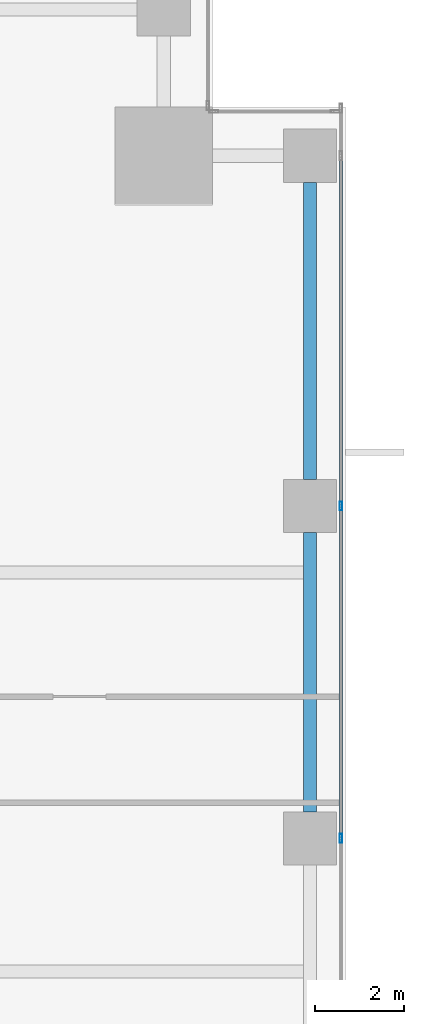
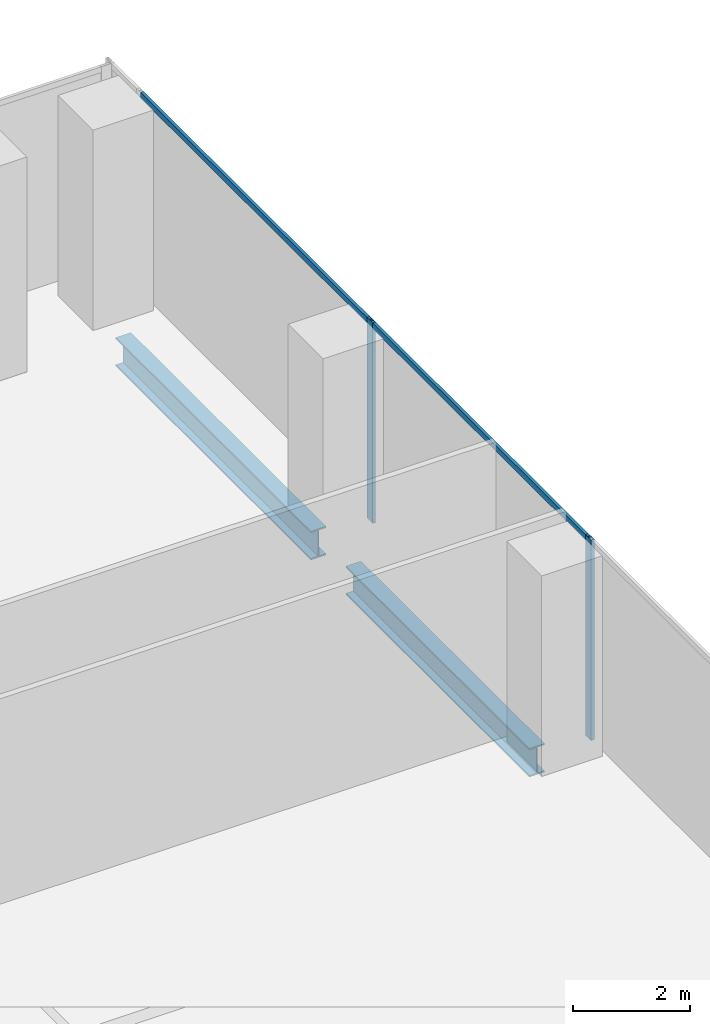
# One storey, part 17 of 32: 4 members, 2 beams, 1 element without a shape of its own.
"""IFC4 building model written with IfcOpenShell, lengths in metres."""

import ifcopenshell
import ifcopenshell.guid

model = None  # the IFC model being written
_history = None  # IfcOwnerHistory: only IFC2X3 demands one
_inside = {}  # id of a spatial element -> (the spatial element, [elements in it])
_under = {}  # id of a project, library or spatial element -> (it, [spatial elements below it])
_declared = {}  # id of a project -> (the project, [libraries it declares])
_typed = {}  # id of a type object -> (the type object, [elements of that type])
_made_of = {}  # id of a material, layer set ... -> (it, [elements and type objects made of it])


def new_model(schema):
    """Start an empty IFC model of exactly this schema.

    Asked for "IFC4X3", IfcOpenShell would pick the latest addendum, in which some entities
    have other attributes; the version numbers below select the first issue.
    IFC2X3 requires an IfcOwnerHistory on every rooted entity: one is made here for all.
    """
    global model, _history
    if schema == "IFC4X3":
        model = ifcopenshell.file(schema_version=(4, 3, 0, 0))
    else:
        model = ifcopenshell.file(schema=schema)
    _inside.clear()
    _under.clear()
    _declared.clear()
    _typed.clear()
    _made_of.clear()
    _history = None
    if model.schema == "IFC2X3":
        org = make("IfcOrganization", Name="unknown")
        user = make(
            "IfcPersonAndOrganization",
            ThePerson=make("IfcPerson", FamilyName="unknown"),
            TheOrganization=org,
        )
        app = make(
            "IfcApplication",
            ApplicationDeveloper=org,
            Version="unknown",
            ApplicationFullName="unknown",
            ApplicationIdentifier="unknown",
        )
        _history = make(
            "IfcOwnerHistory",
            OwningUser=user,
            OwningApplication=app,
            ChangeAction="ADDED",
            CreationDate=0,
        )
    return model


def make(cls, **values):
    """One entity of the class cls with the attributes given. An attribute that is None is left unset."""
    return model.create_entity(
        cls, **{name: value for name, value in values.items() if value is not None}
    )


def rooted(cls, **values):
    """An entity with a GlobalId (a new one), such as an element, a storey or a relation."""
    return make(cls, GlobalId=ifcopenshell.guid.new(), OwnerHistory=_history, **values)


def si_unit(unit_type, name, prefix=None):
    """IfcSIUnit, for example si_unit("LENGTHUNIT", "METRE", prefix="MILLI")."""
    return make("IfcSIUnit", UnitType=unit_type, Prefix=prefix, Name=name)


def assignment(units):
    """IfcUnitAssignment: the units of a project."""
    return None if units is None else make("IfcUnitAssignment", Units=units)


def point(xyz):
    """IfcCartesianPoint."""
    return None if xyz is None else make("IfcCartesianPoint", Coordinates=xyz)


def direction(xyz):
    """IfcDirection."""
    return None if xyz is None else make("IfcDirection", DirectionRatios=xyz)


def frame(location, z_axis=None, x_axis=None):
    """IfcAxis2Placement3D, a coordinate frame: its origin and axes. An axis left out is left unset."""
    return make(
        "IfcAxis2Placement3D",
        Location=point(location),
        Axis=direction(z_axis),
        RefDirection=direction(x_axis),
    )


def frame_2d(location, x_axis=None):
    """IfcAxis2Placement2D, a coordinate frame in the plane: its origin and x axis."""
    return make(
        "IfcAxis2Placement2D", Location=point(location), RefDirection=direction(x_axis)
    )


def origin():
    """The frame at (0, 0, 0) with its axes left unset."""
    return frame((0.0, 0.0, 0.0))


def origin_2d():
    """The frame at (0, 0) in the plane with its x axis left unset."""
    return frame_2d((0.0, 0.0))


def place(relative_to, where):
    """IfcLocalPlacement: puts the frame where relative to a parent placement (None: the world)."""
    return make(
        "IfcLocalPlacement", PlacementRelTo=relative_to, RelativePlacement=where
    )


def context(
    kind, dimensions, precision=None, world=None, true_north=None, identifier=None
):
    """IfcGeometricRepresentationContext, for example the 3D "Model" context."""
    return make(
        "IfcGeometricRepresentationContext",
        ContextIdentifier=identifier,
        ContextType=kind,
        CoordinateSpaceDimension=dimensions,
        Precision=precision,
        WorldCoordinateSystem=world,
        TrueNorth=true_north,
    )


def subcontext(parent, identifier, kind, view, scale=None):
    """IfcGeometricRepresentationSubContext, for example "Body" below "Model"."""
    return make(
        "IfcGeometricRepresentationSubContext",
        ContextIdentifier=identifier,
        ContextType=kind,
        ParentContext=parent,
        TargetScale=scale,
        TargetView=view,
    )


def project(units=None, contexts=None):
    """IfcProject with its units and contexts."""
    return rooted(
        "IfcProject",
        Name="project",
        RepresentationContexts=contexts,
        UnitsInContext=assignment(units),
    )


def spatial(cls, under=None, at=None, **own):
    """A site, building, storey or space (cls), placed at a placement, below another one or the project."""
    s = rooted(cls, ObjectPlacement=at, **own)
    if under is not None:
        _under.setdefault(under.id(), (under, []))[1].append(s)
    return s


def profile(cls, at=None, kind="AREA", **sizes):
    """A parametric profile (cls). Its sizes go by their IFC names, for example OverallWidth=200.0."""
    return make(cls, ProfileType=kind, Position=at, **sizes)


def hollow_rectangle(**sizes):
    """IfcRectangleHollowProfileDef."""
    return profile("IfcRectangleHollowProfileDef", **sizes)


def i_section(**sizes):
    """IfcIShapeProfileDef."""
    return profile("IfcIShapeProfileDef", **sizes)


def extrude(swept, where, along, depth):
    """IfcExtrudedAreaSolid: the profile swept, set in the frame where, extruded along a direction by depth."""
    return make(
        "IfcExtrudedAreaSolid",
        SweptArea=swept,
        Position=where,
        ExtrudedDirection=direction(along),
        Depth=depth,
    )


def shape(context_of_items, identifier, shape_type, items):
    """IfcShapeRepresentation: the items that make up one representation, for example the "Body"."""
    return make(
        "IfcShapeRepresentation",
        ContextOfItems=context_of_items,
        RepresentationIdentifier=identifier,
        RepresentationType=shape_type,
        Items=items,
    )


def source(mapping_origin, context_of_items, identifier, shape_type, items):
    """IfcRepresentationMap: a shape defined once, which mapped items show again and again."""
    return make(
        "IfcRepresentationMap",
        MappingOrigin=mapping_origin,
        MappedRepresentation=shape(context_of_items, identifier, shape_type, items),
    )


def transform(
    local_origin,
    x_axis=None,
    y_axis=None,
    z_axis=None,
    scale=None,
    scale2=None,
    scale3=None,
    uniform=True,
):
    """IfcCartesianTransformationOperator3D, or its non-uniform kind. x_axis, y_axis, z_axis: its Axis1, 2, 3."""
    if uniform:
        return make(
            "IfcCartesianTransformationOperator3D",
            Axis1=direction(x_axis),
            Axis2=direction(y_axis),
            LocalOrigin=point(local_origin),
            Scale=scale,
            Axis3=direction(z_axis),
        )
    return make(
        "IfcCartesianTransformationOperator3DnonUniform",
        Axis1=direction(x_axis),
        Axis2=direction(y_axis),
        LocalOrigin=point(local_origin),
        Scale=scale,
        Axis3=direction(z_axis),
        Scale2=scale2,
        Scale3=scale3,
    )


def mapped(mapping_source, mapping_target):
    """IfcMappedItem: shows the shape of a source again, moved by a transform."""
    return make(
        "IfcMappedItem", MappingSource=mapping_source, MappingTarget=mapping_target
    )


def material(Name=None, Category=None):
    """IfcMaterial."""
    return make("IfcMaterial", Name=Name, Category=Category)


def material_profile(
    of_material, cross_section, Name=None, Category=None, Priority=None
):
    """IfcMaterialProfile: a cross section and its material."""
    return make(
        "IfcMaterialProfile",
        Name=Name,
        Material=of_material,
        Profile=cross_section,
        Priority=Priority,
        Category=Category,
    )


def profile_set(profiles, Name=None, composite=None):
    """IfcMaterialProfileSet."""
    return make(
        "IfcMaterialProfileSet",
        Name=Name,
        MaterialProfiles=profiles,
        CompositeProfile=composite,
    )


def made_of(thing, what):
    """Note that an element or type object is made of a material, layer set ...; save() writes the relation."""
    if what is not None:
        _made_of.setdefault(what.id(), (what, []))[1].append(thing)
    return thing


def type_object(cls, material=None, **own):
    """A type object (cls), such as IfcWallType, which elements share."""
    return made_of(rooted(cls, **own), material)


def element(
    cls,
    number,
    at=None,
    inside=None,
    cuts=None,
    type_object=None,
    material=None,
    context=None,
    identifier="Body",
    shape_type=None,
    held_by="IfcProductDefinitionShape",
    body=None,
    shapes=None,
    **own,
):
    """One element of the class cls, such as IfcWall. Its Tag is "e" and its number.

    at: its placement. inside: the storey or other place that contains it. cuts: it is an
    opening in that element (IfcRelVoidsElement). A single representation is given by context,
    identifier, shape_type and body (its items); several are given by shapes. held_by: the class
    of the entity that holds the representations. save() writes the other relations.
    """
    e = rooted(cls, Tag="e%d" % number, ObjectPlacement=at, **own)
    if body is not None:
        shapes = [shape(context, identifier, shape_type, body)]
    if shapes is not None:
        e.Representation = make(held_by, Representations=shapes)
    if inside is not None:
        _inside.setdefault(inside.id(), (inside, []))[1].append(e)
    if cuts is not None:
        rooted(
            "IfcRelVoidsElement", RelatingBuildingElement=cuts, RelatedOpeningElement=e
        )
    if type_object is not None:
        _typed.setdefault(type_object.id(), (type_object, []))[1].append(e)
    return made_of(e, material)


def aggregate(whole, parts):
    """IfcRelAggregates: a whole, such as a stair, and the parts it consists of."""
    return rooted("IfcRelAggregates", RelatingObject=whole, RelatedObjects=parts)


def save(model, path):
    """Write the relations noted so far, then the file.

    IfcRelAggregates (storeys below a building ...), IfcRelContainedInSpatialStructure (elements
    in a storey), IfcRelDefinesByType, IfcRelAssociatesMaterial and IfcRelDeclares: one each for
    every whole, place, type object, material and project.
    """
    for whole, parts in _under.values():
        aggregate(whole, parts)
    for where, things in _inside.values():
        rooted(
            "IfcRelContainedInSpatialStructure",
            RelatedElements=things,
            RelatingStructure=where,
        )
    for kind, things in _typed.values():
        rooted("IfcRelDefinesByType", RelatedObjects=things, RelatingType=kind)
    for what, things in _made_of.values():
        rooted("IfcRelAssociatesMaterial", RelatedObjects=things, RelatingMaterial=what)
    for by, libraries in _declared.values():
        rooted("IfcRelDeclares", RelatingContext=by, RelatedDefinitions=libraries)
    model.write(path)


model = new_model("IFC4")

# Units and contexts
model_context = context("Model", 3, precision=1e-05, world=origin(), true_north=direction((0.0, 1.0)))
body_context = subcontext(model_context, "Body", "Model", "MODEL_VIEW")
ifc_project = project(units=[si_unit("LENGTHUNIT", "METRE"), si_unit("AREAUNIT", "SQUARE_METRE"), si_unit("VOLUMEUNIT", "CUBIC_METRE"), si_unit("PLANEANGLEUNIT", "RADIAN"), si_unit("MASSUNIT", "GRAM", prefix="KILO")], contexts=[model_context])

# Site, building, storey
site_placement = place(None, origin())
site = spatial("IfcSite", under=ifc_project, at=site_placement, CompositionType="ELEMENT")
building_placement = place(site_placement, origin())
building = spatial("IfcBuilding", under=site, at=building_placement, Name="Khomas Fold Tower", CompositionType="ELEMENT")
storey_placement = place(building_placement, frame((0.0, 0.0, 42.0)))
storey = spatial("IfcBuildingStorey", under=building, at=storey_placement, Name="L08", CompositionType="ELEMENT", Elevation=42.0)

# Beams
ifc_material_1 = material(Name="Steel S355", Category="steel")
ifc_material_profile_1 = material_profile(ifc_material_1, i_section(OverallWidth=0.300048828125, OverallDepth=0.60009765625, WebThickness=0.015380859375, FlangeThickness=0.030029296875, at=origin_2d()), Name="HE 600 B")
ifc_profile_set_1 = profile_set([ifc_material_profile_1], Name="Steel S355")
beam_type = type_object("IfcBeamType", Name="HE 600 B spandrel SB1", PredefinedType="SPANDREL", material=ifc_profile_set_1)
shared_shape_1 = source(origin(), body_context, "Body", "SweptSolid", [
    extrude(i_section(OverallWidth=0.300048828125, OverallDepth=0.60009765625, WebThickness=0.015380859375, FlangeThickness=0.030029296875, at=origin_2d()), origin(), (0.0, 0.0, 1.0), 6.699951171875),
])
beam_1_placement = place(storey_placement, frame((53.199951171875, 42.60009765625, -0.60009765625), z_axis=(0.0, 1.0, 0.0), x_axis=(-1.0, 0.0, 0.0)))
element("IfcBeam", 1, at=beam_1_placement, inside=storey, type_object=beam_type, Name="SB1", PredefinedType="SPANDREL", context=body_context, shape_type="MappedRepresentation", body=[
    mapped(shared_shape_1, transform((0.0, 0.0, 0.0))),
])
shared_shape_2 = source(origin(), body_context, "Body", "SweptSolid", [
    extrude(i_section(OverallWidth=0.300048828125, OverallDepth=0.60009765625, WebThickness=0.015380859375, FlangeThickness=0.030029296875, at=origin_2d()), origin(), (0.0, 0.0, 1.0), 6.2998046875),
])
beam_2_placement = place(storey_placement, frame((53.199951171875, 35.10009765625, -0.60009765625), z_axis=(0.0, 1.0, 0.0), x_axis=(-1.0, 0.0, 0.0)))
element("IfcBeam", 2, at=beam_2_placement, inside=storey, type_object=beam_type, Name="SB1", PredefinedType="SPANDREL", context=body_context, shape_type="MappedRepresentation", body=[
    mapped(shared_shape_2, transform((0.0, 0.0, 0.0))),
])

# Curtain wall, members
ifc_material_2 = material(Name="Aluminium framed double glazing", Category="aluminium")
curtain_wall_type = type_object("IfcCurtainWallType", Name="SK-Unitised clear-glass wall, growing floors CW1", PredefinedType="NOTDEFINED", material=ifc_material_2)
curtain_wall_placement = place(storey_placement, origin())
curtain_wall = element("IfcCurtainWall", 3, at=curtain_wall_placement, inside=storey, type_object=curtain_wall_type, Name="CW1 run L08 03-1", PredefinedType="NOTDEFINED")
ifc_material_3 = material(Name="Aluminium", Category="aluminium")
ifc_material_profile_2 = material_profile(ifc_material_3, hollow_rectangle(XDim=0.06005859375, YDim=0.1201171875, WallThickness=0.00390625, at=origin_2d()), Name="SK-Unitised clear-glass wall, growing floors transom CW1-T")
ifc_profile_set_2 = profile_set([ifc_material_profile_2], Name="Aluminium")
member_type_1 = type_object("IfcMemberType", Name="SK-Unitised clear-glass wall, growing floors transom CW1-T", PredefinedType="USERDEFINED", material=ifc_profile_set_2)
shared_shape_3 = source(origin(), body_context, "Body", "SweptSolid", [
    extrude(hollow_rectangle(XDim=0.06005859375, YDim=0.1201171875, WallThickness=0.00390625, at=origin_2d()), origin(), (0.0, 0.0, 1.0), 7.840087890625),
])
member_1_placement = place(storey_placement, frame((53.89990234375, 42.030029296875, 4.139892578125), z_axis=(0.0, 1.0, 0.0), x_axis=(-1.0, 0.0, 0.0)))
member_1 = element("IfcMember", 4, at=member_1_placement, type_object=member_type_1, Name="CW1 transom 4", ObjectType="TRANSOM", PredefinedType="USERDEFINED", context=body_context, shape_type="MappedRepresentation", body=[
    mapped(shared_shape_3, transform((0.0, 0.0, 0.0))),
])
shared_shape_4 = source(origin(), body_context, "Body", "SweptSolid", [
    extrude(hollow_rectangle(XDim=0.06005859375, YDim=0.1201171875, WallThickness=0.00390625, at=origin_2d()), origin(), (0.0, 0.0, 1.0), 7.43994140625),
])
member_2_placement = place(storey_placement, frame((53.89990234375, 34.530029296875, 4.139892578125), z_axis=(0.0, 1.0, 0.0), x_axis=(-1.0, 0.0, 0.0)))
member_2 = element("IfcMember", 5, at=member_2_placement, type_object=member_type_1, Name="CW1 transom 3", ObjectType="TRANSOM", PredefinedType="USERDEFINED", context=body_context, shape_type="MappedRepresentation", body=[
    mapped(shared_shape_4, transform((0.0, 0.0, 0.0))),
])
ifc_material_4 = material(Name="Aluminium", Category="aluminium")
ifc_material_profile_3 = material_profile(ifc_material_4, hollow_rectangle(XDim=0.06005859375, YDim=0.199951171875, WallThickness=0.00390625, at=origin_2d()), Name="SK-Unitised clear-glass wall, growing floors mullion CW1-M")
ifc_profile_set_3 = profile_set([ifc_material_profile_3], Name="Aluminium")
member_type_2 = type_object("IfcMemberType", Name="SK-Unitised clear-glass wall, growing floors mullion CW1-M", PredefinedType="MULLION", material=ifc_profile_set_3)
shared_shape_5 = source(origin(), body_context, "Body", "SweptSolid", [
    extrude(hollow_rectangle(XDim=0.06005859375, YDim=0.199951171875, WallThickness=0.00390625, at=origin_2d()), origin(), (0.0, 0.0, 1.0), 4.199951171875),
])
member_3_placement = place(storey_placement, frame((53.89990234375, 34.5, 0.0), z_axis=(0.0, 0.0, 1.0), x_axis=(-1.0, 0.0, 0.0)))
member_3 = element("IfcMember", 6, at=member_3_placement, type_object=member_type_2, Name="CW1 mullion 3", PredefinedType="MULLION", context=body_context, shape_type="MappedRepresentation", body=[
    mapped(shared_shape_5, transform((0.0, 0.0, 0.0))),
])
member_4_placement = place(storey_placement, frame((53.89990234375, 42.0, 0.0), z_axis=(0.0, 0.0, 1.0), x_axis=(-1.0, 0.0, 0.0)))
member_4 = element("IfcMember", 7, at=member_4_placement, type_object=member_type_2, Name="CW1 mullion 4", PredefinedType="MULLION", context=body_context, shape_type="MappedRepresentation", body=[
    mapped(shared_shape_5, transform((0.0, 0.0, 0.0))),
])
aggregate(curtain_wall, [member_3, member_4, member_2, member_1])

save(model, "model.ifc")
